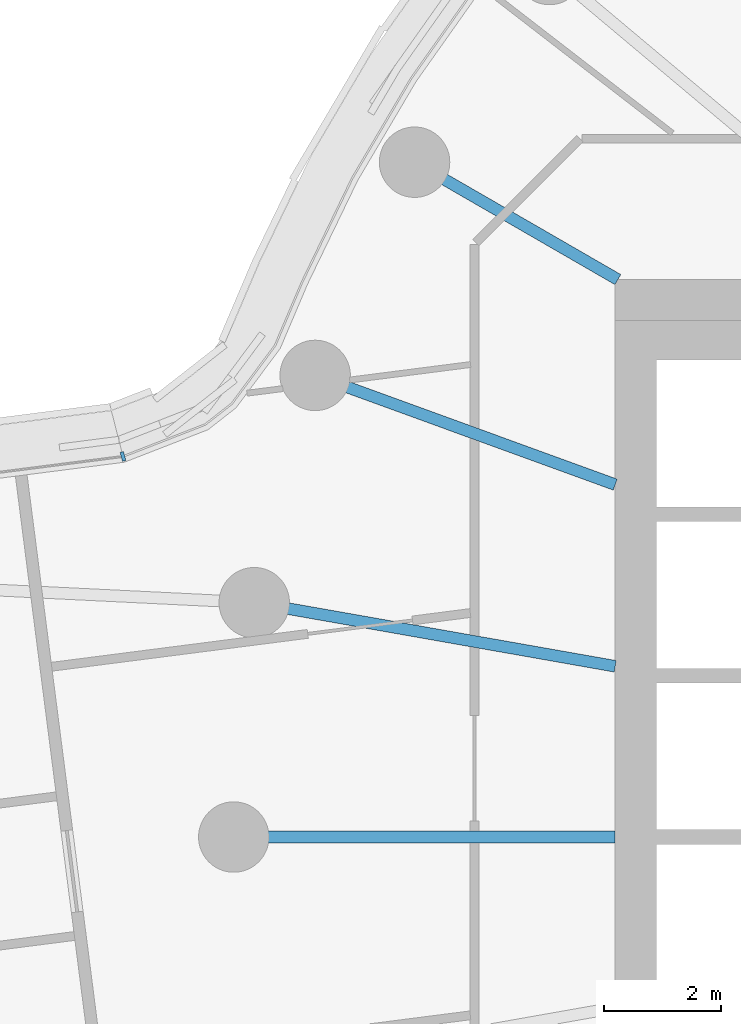
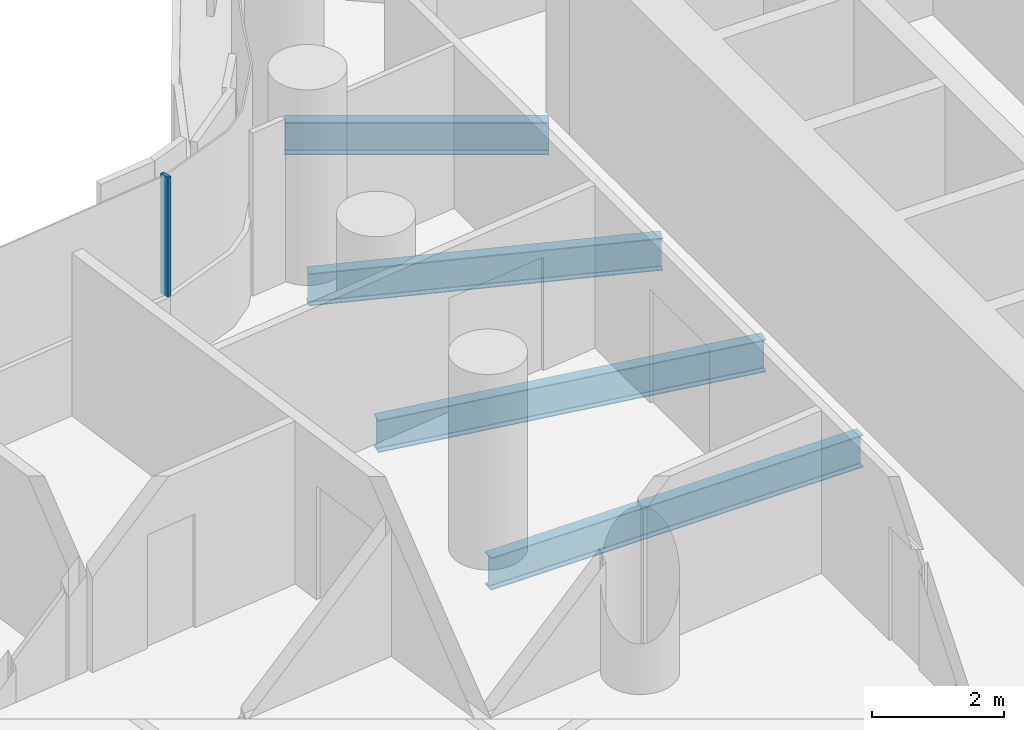
# One storey, part 7 of 31: 4 beams, 1 member, 1 element without a shape of its own.
"""IFC4 building model written with IfcOpenShell, lengths in metres."""

from ifc_helpers import new_model, si_unit, direction, frame, origin, origin_2d, place, context, subcontext, project, spatial, rectangle, i_section, extrude, material, layer, layer_set, material_profile, profile_set, type_object, element, aggregate, save


model = new_model("IFC4")

# Units and contexts
model_context = context("Model", 3, precision=1e-05, world=origin(), true_north=direction((0.0, 1.0)))
body_context = subcontext(model_context, "Body", "Model", "MODEL_VIEW")
ifc_project = project(units=[si_unit("LENGTHUNIT", "METRE"), si_unit("AREAUNIT", "SQUARE_METRE"), si_unit("VOLUMEUNIT", "CUBIC_METRE"), si_unit("PLANEANGLEUNIT", "RADIAN"), si_unit("MASSUNIT", "GRAM", prefix="KILO")], contexts=[model_context])

# Site, building, storey
site_placement = place(None, origin())
site = spatial("IfcSite", under=ifc_project, at=site_placement, CompositionType="ELEMENT")
building_placement = place(site_placement, origin())
building = spatial("IfcBuilding", under=site, at=building_placement, Name="Tamarind Cross Interchange Tower", CompositionType="ELEMENT")
storey_placement = place(building_placement, frame((0.0, 0.0, 60.25)))
storey = spatial("IfcBuildingStorey", under=building, at=storey_placement, Name="L13", CompositionType="ELEMENT", Elevation=60.25)

# Beams
ifc_material_1 = material(Name="Steel Q355B", Category="steel")
ifc_material_profile_1 = material_profile(ifc_material_1, i_section(OverallWidth=0.198974609375, OverallDepth=0.595947265625, WebThickness=0.010009765625, FlangeThickness=0.014892578125, FilletRadius=0.012939453125, at=origin_2d()), Name="HN 596x199x10x15")
ifc_profile_set_1 = profile_set([ifc_material_profile_1], Name="Steel Q355B")
beam_type = type_object("IfcBeamType", Name="Composite beam HN 596x199x10x15 Q355B", PredefinedType="BEAM", material=ifc_profile_set_1)
beam_1_placement = place(storey_placement, frame((-19.918701171875, 11.5, -0.43798828125), z_axis=(0.866026010844, -0.49999894854, 0.0), x_axis=(0.49999894854, 0.866026010844, 0.0)))
element("IfcBeam", 1, at=beam_1_placement, inside=storey, type_object=beam_type, Name="Beam HH15", PredefinedType="BEAM", context=body_context, shape_type="SweptSolid", body=[
    extrude(i_section(OverallWidth=0.198974609375, OverallDepth=0.595947265625, WebThickness=0.010009765625, FlangeThickness=0.014892578125, FilletRadius=0.012939453125, at=origin_2d()), origin(), (0.0, 0.0, 1.0), 4.0),
])
beam_2_placement = place(storey_placement, frame((-21.613037109375, 7.866455078125, -0.43798828125), z_axis=(0.939701685589, -0.341995236956, 0.0), x_axis=(0.341995236956, 0.939701685589, 0.0)))
element("IfcBeam", 2, at=beam_2_placement, inside=storey, type_object=beam_type, Name="Beam HH16", PredefinedType="BEAM", context=body_context, shape_type="SweptSolid", body=[
    extrude(i_section(OverallWidth=0.198974609375, OverallDepth=0.595947265625, WebThickness=0.010009765625, FlangeThickness=0.014892578125, FilletRadius=0.012939453125, at=origin_2d()), origin(), (0.0, 0.0, 1.0), 5.441162109375),
])
beam_3_placement = place(storey_placement, frame((-22.650634765625, 3.993896484375, -0.43798828125), z_axis=(0.984809127561, -0.173640382036, 0.0), x_axis=(0.173640382036, 0.984809127561, 0.0)))
element("IfcBeam", 3, at=beam_3_placement, inside=storey, type_object=beam_type, Name="Beam HH17", PredefinedType="BEAM", context=body_context, shape_type="SweptSolid", body=[
    extrude(i_section(OverallWidth=0.198974609375, OverallDepth=0.595947265625, WebThickness=0.010009765625, FlangeThickness=0.014892578125, FilletRadius=0.012939453125, at=origin_2d()), origin(), (0.0, 0.0, 1.0), 6.24560546875),
])
beam_4_placement = place(storey_placement, frame((-23.0, 0.0, -0.43798828125), z_axis=(1.0, 0.0, 0.0), x_axis=(0.0, 1.0, 0.0)))
element("IfcBeam", 4, at=beam_4_placement, inside=storey, type_object=beam_type, Name="Beam HH18", PredefinedType="BEAM", context=body_context, shape_type="SweptSolid", body=[
    extrude(i_section(OverallWidth=0.198974609375, OverallDepth=0.595947265625, WebThickness=0.010009765625, FlangeThickness=0.014892578125, FilletRadius=0.012939453125, at=origin_2d()), origin(), (0.0, 0.0, 1.0), 6.5),
])

# Curtain wall, member
ifc_material_2 = material(Name="Aluminium 6063-T6", Category="aluminium")
ifc_layer = layer(ifc_material_2, 0.159912109375)
ifc_layer_set = layer_set([ifc_layer], Name="Aluminium 6063-T6")
curtain_wall_type = type_object("IfcCurtainWallType", Name="Office curtain wall, 9.0 m bays", PredefinedType="NOTDEFINED", material=ifc_layer_set)
curtain_wall_placement = place(storey_placement, origin())
curtain_wall = element("IfcCurtainWall", 5, at=curtain_wall_placement, inside=storey, type_object=curtain_wall_type, Name="CWS-L13-15", PredefinedType="NOTDEFINED")
ifc_material_profile_2 = material_profile(ifc_material_2, rectangle(XDim=0.06005859375, YDim=0.159912109375, at=origin_2d()), Name="Mullion CW1")
ifc_profile_set_2 = profile_set([ifc_material_profile_2], Name="Aluminium 6063-T6")
member_type = type_object("IfcMemberType", Name="Mullion CW1", PredefinedType="MULLION", material=ifc_profile_set_2)
member_placement = place(storey_placement, frame((-24.8876953125, 6.485107421875, 1.39990234375), z_axis=(0.0, 0.0, 1.0), x_axis=(-0.969089518865, -0.246709352126, 0.0)))
member = element("IfcMember", 6, at=member_placement, type_object=member_type, Name="CWM-L13-15-00", PredefinedType="MULLION", context=body_context, shape_type="SweptSolid", body=[
    extrude(rectangle(XDim=0.06005859375, YDim=0.159912109375, at=origin_2d()), origin(), (0.0, 0.0, 1.0), 2.210205078125),
])
aggregate(curtain_wall, [member])

save(model, "model.ifc")
